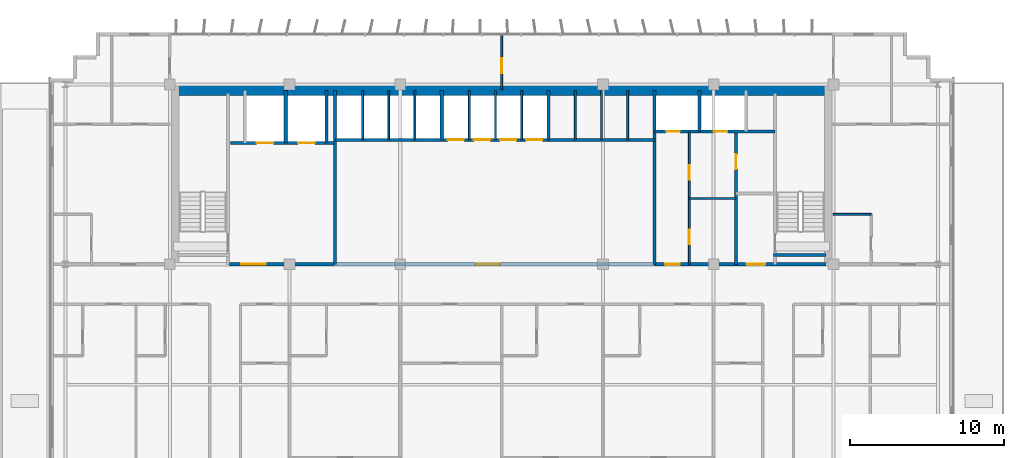
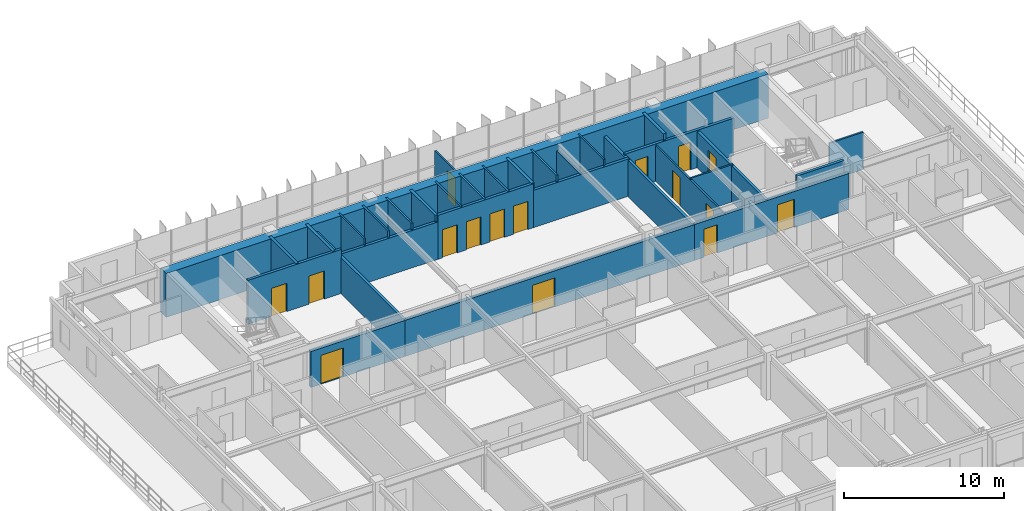
# One storey, part 18 of 22: 31 walls, 16 doors, 16 openings.
"""IFC4 building model written with IfcOpenShell, lengths in metres."""

from ifc_helpers import new_model, si_unit, direction, frame, frame_2d, origin, place, context, subcontext, project, spatial, rectangle, extrude, source, transform, mapped, material, layer, layer_set, type_object, element, fill, save


model = new_model("IFC4")

# Units and contexts
model_context = context("Model", 3, precision=1e-05, world=origin(), true_north=direction((0.0, 1.0)))
body_context = subcontext(model_context, "Body", "Model", "MODEL_VIEW")
ifc_project = project(units=[si_unit("LENGTHUNIT", "METRE"), si_unit("AREAUNIT", "SQUARE_METRE"), si_unit("VOLUMEUNIT", "CUBIC_METRE"), si_unit("PLANEANGLEUNIT", "RADIAN"), si_unit("MASSUNIT", "GRAM", prefix="KILO")], contexts=[model_context])

# Site, building, storey
site_placement = place(None, origin())
site = spatial("IfcSite", under=ifc_project, at=site_placement, CompositionType="ELEMENT")
building_placement = place(site_placement, origin())
building = spatial("IfcBuilding", under=site, at=building_placement, Name="Trelvane Seafront Commons", CompositionType="ELEMENT")
storey_placement = place(building_placement, frame((0.0, 0.0, 132.10009765625)))
storey = spatial("IfcBuildingStorey", under=building, at=storey_placement, Name="L34", CompositionType="ELEMENT", Elevation=132.10009765625)

# Wall, opening, door
ifc_material_1 = material(Name="Concrete C40/50", Category="concrete")
ifc_layer_1 = layer(ifc_material_1, 0.199951171875, Name="ARCH-WALL-FIRE200")
ifc_layer_set_1 = layer_set([ifc_layer_1], Name="Concrete C40/50")
wall_type_1 = type_object("IfcWallType", Name="ARCH-WALL-FIRE200", PredefinedType="PARTITIONING", material=ifc_layer_set_1)
wall_1_placement = place(storey_placement, frame((52.449951171875, 33.39990234375, 0.0), z_axis=(0.0, 0.0, 1.0), x_axis=(0.0, 1.0, 0.0)))
wall_1 = element("IfcWall", 1, at=wall_1_placement, inside=storey, type_object=wall_type_1, Name="W-L34-ST2V-W-033", PredefinedType="PARTITIONING", context=body_context, shape_type="SweptSolid", body=[
    extrude(rectangle(XDim=8.650146484375, YDim=0.199951171875, at=frame_2d((4.3251953125, 0.0))), origin(), (0.0, 0.0, 1.0), 2.75),
])
opening_1_placement = place(wall_1_placement, frame((6.199951171875, 0.0, 0.0)))
opening_1 = element("IfcOpeningElement", 2, at=opening_1_placement, cuts=wall_1, Name="Opening FD-L34-13", PredefinedType="OPENING", context=body_context, shape_type="SweptSolid", body=[
    extrude(rectangle(XDim=0.949951171875, YDim=2.14990234375, at=frame_2d((0.47509765625, 1.074951171875))), frame((0.0, 0.10986328125, 0.0), z_axis=(0.0, -1.0, 0.0), x_axis=(1.0, 0.0, 0.0)), (0.0, 0.0, 1.0), 0.219970703125),
])
ifc_material_2 = material(Name="Powder-coated aluminium frame", Category="aluminium")
door_type_1 = type_object("IfcDoorType", Name="ARCH-DR-FD60-950", OperationType="NOTDEFINED", PredefinedType="DOOR", material=ifc_material_2)
shared_shape_1 = source(origin(), body_context, "Body", "SweptSolid", [
    extrude(rectangle(XDim=0.949951171875, YDim=2.14990234375, at=frame_2d((0.47509765625, 1.074951171875))), frame((0.0, 0.02490234375, 0.0), z_axis=(0.0, -1.0, 0.0), x_axis=(1.0, 0.0, 0.0)), (0.0, 0.0, 1.0), 0.050048828125),
])
door_1_placement = place(opening_1_placement, origin())
door_1 = element("IfcDoor", 3, at=door_1_placement, inside=storey, type_object=door_type_1, Name="L34 Cleaner Store Door", OperationType="SINGLE_SWING_LEFT", OverallHeight=2.14990234375, OverallWidth=0.949951171875, PredefinedType="DOOR", context=body_context, shape_type="MappedRepresentation", body=[
    mapped(shared_shape_1, transform((0.0, 0.0, 0.0), x_axis=(1.0, 0.0, 0.0), y_axis=(0.0, 1.0, 0.0), z_axis=(0.0, 0.0, 1.0), scale=1.0)),
])
fill(opening_1, door_1)

ifc_layer_2 = layer(ifc_material_1, 0.25, Name="ARCH-WALL-FIRE250")
ifc_layer_set_2 = layer_set([ifc_layer_2], Name="Concrete C40/50")
wall_type_2 = type_object("IfcWallType", Name="ARCH-WALL-FIRE250", PredefinedType="PARTITIONING", material=ifc_layer_set_2)
wall_2_placement = place(storey_placement, frame((19.5, 33.39990234375, 0.0), z_axis=(0.0, 0.0, 1.0), x_axis=(1.0, 0.0, 0.0)))
wall_2 = element("IfcWall", 4, at=wall_2_placement, inside=storey, type_object=wall_type_2, Name="W-L34-CS-FFL-013", PredefinedType="PARTITIONING", context=body_context, shape_type="SweptSolid", body=[
    extrude(rectangle(XDim=6.800048828125, YDim=0.25, at=frame_2d((3.39990234375, 0.0))), origin(), (0.0, 0.0, 1.0), 2.75),
])
opening_2_placement = place(wall_2_placement, frame((0.75, 0.0, 0.0)))
opening_2 = element("IfcOpeningElement", 5, at=opening_2_placement, cuts=wall_2, Name="Opening FD-L34-05", PredefinedType="OPENING", context=body_context, shape_type="SweptSolid", body=[
    extrude(rectangle(XDim=1.60009765625, YDim=2.199951171875, at=frame_2d((0.800048828125, 1.10009765625))), frame((0.0, 0.135009765625, 0.0), z_axis=(0.0, -1.0, 0.0), x_axis=(1.0, 0.0, 0.0)), (0.0, 0.0, 1.0), 0.27001953125),
])
door_type_2 = type_object("IfcDoorType", Name="ARCH-DR-FD60-1600", OperationType="DOUBLE_DOOR_SINGLE_SWING", PredefinedType="DOOR", material=ifc_material_2)
shared_shape_2 = source(origin(), body_context, "Body", "SweptSolid", [
    extrude(rectangle(XDim=1.60009765625, YDim=2.199951171875, at=frame_2d((0.800048828125, 1.10009765625))), frame((0.0, 0.02490234375, 0.0), z_axis=(0.0, -1.0, 0.0), x_axis=(1.0, 0.0, 0.0)), (0.0, 0.0, 1.0), 0.050048828125),
])
door_2_placement = place(opening_2_placement, origin())
door_2 = element("IfcDoor", 6, at=door_2_placement, inside=storey, type_object=door_type_2, Name="L34 Firefighting Lift Lobby Double Fire Door", OperationType="DOUBLE_DOOR_SINGLE_SWING", OverallHeight=2.199951171875, OverallWidth=1.60009765625, PredefinedType="DOOR", context=body_context, shape_type="MappedRepresentation", body=[
    mapped(shared_shape_2, transform((0.0, 0.0, 0.0), x_axis=(1.0, 0.0, 0.0), y_axis=(0.0, 1.0, 0.0), z_axis=(0.0, 0.0, 1.0), scale=1.0)),
])
fill(opening_2, door_2)

wall_3_placement = place(storey_placement, frame((26.300048828125, 33.39990234375, 0.0), z_axis=(0.0, 0.0, 1.0), x_axis=(1.0, 0.0, 0.0)))
wall_3 = element("IfcWall", 7, at=wall_3_placement, inside=storey, type_object=wall_type_2, Name="W-L34-CS-PAX-029", PredefinedType="PARTITIONING", context=body_context, shape_type="SweptSolid", body=[
    extrude(rectangle(XDim=20.849853515625, YDim=0.25, at=frame_2d((10.4248046875, 0.0))), origin(), (0.0, 0.0, 1.0), 2.75),
])
opening_3_placement = place(wall_3_placement, frame((9.199951171875, 0.0, 0.0)))
opening_3 = element("IfcOpeningElement", 8, at=opening_3_placement, cuts=wall_3, Name="Opening FD-L34-10", PredefinedType="OPENING", context=body_context, shape_type="SweptSolid", body=[
    extrude(rectangle(XDim=1.60009765625, YDim=2.199951171875, at=frame_2d((0.800048828125, 1.10009765625))), frame((0.0, 0.135009765625, 0.0), z_axis=(0.0, -1.0, 0.0), x_axis=(1.0, 0.0, 0.0)), (0.0, 0.0, 1.0), 0.27001953125),
])
door_3_placement = place(opening_3_placement, origin())
door_3 = element("IfcDoor", 9, at=door_3_placement, inside=storey, type_object=door_type_2, Name="L34 Passenger Lift Lobby Double Door", OperationType="DOUBLE_DOOR_SINGLE_SWING", OverallHeight=2.199951171875, OverallWidth=1.60009765625, PredefinedType="DOOR", context=body_context, shape_type="MappedRepresentation", body=[
    mapped(shared_shape_2, transform((0.0, 0.0, 0.0), x_axis=(1.0, 0.0, 0.0), y_axis=(0.0, 1.0, 0.0), z_axis=(0.0, 0.0, 1.0), scale=1.0)),
])
fill(opening_3, door_3)

# Wall, openings, doors
wall_4_placement = place(storey_placement, frame((47.14990234375, 33.39990234375, 0.0), z_axis=(0.0, 0.0, 1.0), x_axis=(1.0, 0.0, 0.0)))
wall_4 = element("IfcWall", 10, at=wall_4_placement, inside=storey, type_object=wall_type_2, Name="W-L34-CS-EAST-037", PredefinedType="PARTITIONING", context=body_context, shape_type="SweptSolid", body=[
    extrude(rectangle(XDim=11.150146484375, YDim=0.25, at=frame_2d((5.5751953125, 0.0))), origin(), (0.0, 0.0, 1.0), 2.75),
])
opening_4_placement = place(wall_4_placement, frame((0.699951171875, 0.0, 0.0)))
opening_4 = element("IfcOpeningElement", 11, at=opening_4_placement, cuts=wall_4, Name="Opening FD-L34-16", PredefinedType="OPENING", context=body_context, shape_type="SweptSolid", body=[
    extrude(rectangle(XDim=0.949951171875, YDim=2.14990234375, at=frame_2d((0.47509765625, 1.074951171875))), frame((0.0, 0.135009765625, 0.0), z_axis=(0.0, -1.0, 0.0), x_axis=(1.0, 0.0, 0.0)), (0.0, 0.0, 1.0), 0.27001953125),
])
opening_5_placement = place(wall_4_placement, frame((6.0, 0.0, 0.0)))
opening_5 = element("IfcOpeningElement", 12, at=opening_5_placement, cuts=wall_4, Name="Opening FD-L34-17", PredefinedType="OPENING", context=body_context, shape_type="SweptSolid", body=[
    extrude(rectangle(XDim=1.199951171875, YDim=2.14990234375, at=frame_2d((0.60009765625, 1.074951171875))), frame((0.0, 0.135009765625, 0.0), z_axis=(0.0, -1.0, 0.0), x_axis=(1.0, 0.0, 0.0)), (0.0, 0.0, 1.0), 0.27001953125),
])
door_4_placement = place(opening_4_placement, origin())
door_4 = element("IfcDoor", 13, at=door_4_placement, inside=storey, type_object=door_type_1, Name="L34 Core Service Lobby Door", OperationType="SINGLE_SWING_RIGHT", OverallHeight=2.14990234375, OverallWidth=0.949951171875, PredefinedType="DOOR", context=body_context, shape_type="MappedRepresentation", body=[
    mapped(shared_shape_1, transform((0.0, 0.0, 0.0), x_axis=(1.0, 0.0, 0.0), y_axis=(0.0, 1.0, 0.0), z_axis=(0.0, 0.0, 1.0), scale=1.0)),
])
fill(opening_4, door_4)
door_type_3 = type_object("IfcDoorType", Name="ARCH-DR-FD60-1200", OperationType="NOTDEFINED", PredefinedType="DOOR", material=ifc_material_2)
shared_shape_3 = source(origin(), body_context, "Body", "SweptSolid", [
    extrude(rectangle(XDim=1.199951171875, YDim=2.14990234375, at=frame_2d((0.60009765625, 1.074951171875))), frame((0.0, 0.02490234375, 0.0), z_axis=(0.0, -1.0, 0.0), x_axis=(1.0, 0.0, 0.0)), (0.0, 0.0, 1.0), 0.050048828125),
])
door_5_placement = place(opening_5_placement, origin())
door_5 = element("IfcDoor", 14, at=door_5_placement, inside=storey, type_object=door_type_3, Name="L34 East Stair Vestibule Fire Door", OperationType="SINGLE_SWING_LEFT", OverallHeight=2.14990234375, OverallWidth=1.199951171875, PredefinedType="DOOR", context=body_context, shape_type="MappedRepresentation", body=[
    mapped(shared_shape_3, transform((0.0, 0.0, 0.0), x_axis=(1.0, 0.0, 0.0), y_axis=(0.0, 1.0, 0.0), z_axis=(0.0, 0.0, 1.0), scale=1.0)),
])
fill(opening_5, door_5)

# Walls
ifc_material_3 = material(Name="Gypsum Drywall Acoustic Partition")
ifc_layer_3 = layer(ifc_material_3, 0.1201171875, Name="ARCH-WALL-PART120")
ifc_layer_set_3 = layer_set([ifc_layer_3], Name="Gypsum Drywall Acoustic Partition")
wall_type_3 = type_object("IfcWallType", Name="ARCH-WALL-PART120", PredefinedType="PARTITIONING", material=ifc_layer_set_3)
for number, where, z_axis, x_axis, name in (
    (15, (28.14990234375, 41.5, 0.0), (0.0, 0.0, 1.0), (0.0, 1.0, 0.0), "W-L34-PL-DIV1-016"),
    (16, (29.85009765625, 41.5, 0.0), (0.0, 0.0, 1.0), (0.0, 1.0, 0.0), "W-L34-PL-DIV2-017"),
    (17, (31.550048828125, 41.5, 0.0), (0.0, 0.0, 1.0), (0.0, 1.0, 0.0), "W-L34-PL-DIV3-018"),
    (18, (35.10009765625, 41.5, 0.0), (0.0, 0.0, 1.0), (0.0, 1.0, 0.0), "W-L34-PM-DIV1-020"),
    (19, (36.800048828125, 41.5, 0.0), (0.0, 0.0, 1.0), (0.0, 1.0, 0.0), "W-L34-PM-DIV2-021"),
    (20, (38.5, 41.5, 0.0), (0.0, 0.0, 1.0), (0.0, 1.0, 0.0), "W-L34-PM-DIV3-022"),
    (21, (42.0, 41.5, 0.0), (0.0, 0.0, 1.0), (0.0, 1.0, 0.0), "W-L34-PH-DIV1-025"),
):
    element("IfcWall", number, at=place(storey_placement, frame(where, z_axis=z_axis, x_axis=x_axis)), inside=storey, type_object=wall_type_3, Name=name, PredefinedType="PARTITIONING", context=body_context, shape_type="SweptSolid", body=[
        extrude(rectangle(XDim=3.199951171875, YDim=0.1201171875, at=frame_2d((1.60009765625, 0.0))), origin(), (0.0, 0.0, 1.0), 3.349853515625),
    ])
wall_5_placement = place(storey_placement, frame((43.699951171875, 41.5, 0.0), z_axis=(0.0, 0.0, 1.0), x_axis=(0.0, 1.0, 0.0)))
element("IfcWall", 22, at=wall_5_placement, inside=storey, type_object=wall_type_3, Name="W-L34-PH-DIV2-026", PredefinedType="PARTITIONING", context=body_context, shape_type="SweptSolid", body=[
    extrude(rectangle(XDim=3.199951171875, YDim=0.1201171875, at=frame_2d((1.60009765625, 0.0))), origin(), (0.0, 0.0, 1.0), 2.849853515625),
])
wall_6_placement = place(storey_placement, frame((45.39990234375, 41.5, 0.0), z_axis=(0.0, 0.0, 1.0), x_axis=(0.0, 1.0, 0.0)))
element("IfcWall", 23, at=wall_6_placement, inside=storey, type_object=wall_type_3, Name="W-L34-PH-DIV3-027", PredefinedType="PARTITIONING", context=body_context, shape_type="SweptSolid", body=[
    extrude(rectangle(XDim=3.199951171875, YDim=0.1201171875, at=frame_2d((1.60009765625, 0.0))), origin(), (0.0, 0.0, 1.0), 3.349853515625),
])

# Wall, openings, doors
wall_7_placement = place(storey_placement, frame((49.419921875, 33.39990234375, 0.0), z_axis=(0.0, 0.0, 1.0), x_axis=(0.0, 1.0, 0.0)))
wall_7 = element("IfcWall", 24, at=wall_7_placement, inside=storey, type_object=wall_type_3, Name="W-L34-CYC0-V-035", PredefinedType="PARTITIONING", context=body_context, shape_type="SweptSolid", body=[
    extrude(rectangle(XDim=8.60009765625, YDim=0.1201171875, at=frame_2d((4.300048828125, 0.0))), origin(), (0.0, 0.0, 1.0), 2.75),
])
opening_6_placement = place(wall_7_placement, frame((1.300048828125, 0.0, 0.0)))
opening_6 = element("IfcOpeningElement", 25, at=opening_6_placement, cuts=wall_7, Name="Opening D-L34-14", PredefinedType="OPENING", context=body_context, shape_type="SweptSolid", body=[
    extrude(rectangle(XDim=0.949951171875, YDim=2.14990234375, at=frame_2d((0.47509765625, 1.074951171875))), frame((0.0, 0.070068359375, 0.0), z_axis=(0.0, -1.0, 0.0), x_axis=(1.0, 0.0, 0.0)), (0.0, 0.0, 1.0), 0.14013671875),
])
opening_7_placement = place(wall_7_placement, frame((5.5, 0.0, 0.0)))
opening_7 = element("IfcOpeningElement", 26, at=opening_7_placement, cuts=wall_7, Name="Opening D-L34-15", PredefinedType="OPENING", context=body_context, shape_type="SweptSolid", body=[
    extrude(rectangle(XDim=0.949951171875, YDim=2.14990234375, at=frame_2d((0.47509765625, 1.074951171875))), frame((0.0, 0.070068359375, 0.0), z_axis=(0.0, -1.0, 0.0), x_axis=(1.0, 0.0, 0.0)), (0.0, 0.0, 1.0), 0.14013671875),
])
ifc_material_4 = material(Name="Acoustic timber door leaf", Category="wood")
door_type_4 = type_object("IfcDoorType", Name="ARCH-DR-INT950", OperationType="NOTDEFINED", PredefinedType="DOOR", material=ifc_material_4)
door_6_placement = place(opening_6_placement, origin())
door_6 = element("IfcDoor", 27, at=door_6_placement, inside=storey, type_object=door_type_4, Name="L34 Accessible WC Door", OperationType="SINGLE_SWING_RIGHT", OverallHeight=2.14990234375, OverallWidth=0.949951171875, PredefinedType="DOOR", context=body_context, shape_type="MappedRepresentation", body=[
    mapped(shared_shape_1, transform((0.0, 0.0, 0.0), x_axis=(1.0, 0.0, 0.0), y_axis=(0.0, 1.0, 0.0), z_axis=(0.0, 0.0, 1.0), scale=1.0)),
])
fill(opening_6, door_6)
door_7_placement = place(opening_7_placement, origin())
door_7 = element("IfcDoor", 28, at=door_7_placement, inside=storey, type_object=door_type_4, Name="L34 Common WC Door", OperationType="SINGLE_SWING_LEFT", OverallHeight=2.14990234375, OverallWidth=0.949951171875, PredefinedType="DOOR", context=body_context, shape_type="MappedRepresentation", body=[
    mapped(shared_shape_1, transform((0.0, 0.0, 0.0), x_axis=(1.0, 0.0, 0.0), y_axis=(0.0, 1.0, 0.0), z_axis=(0.0, 0.0, 1.0), scale=1.0)),
])
fill(opening_7, door_7)

# Walls
wall_8_placement = place(storey_placement, frame((49.419921875, 37.679931640625, 0.0), z_axis=(0.0, 0.0, 1.0), x_axis=(1.0, 0.0, 0.0)))
element("IfcWall", 29, at=wall_8_placement, inside=storey, type_object=wall_type_3, Name="W-L34-CYC0-H-036", PredefinedType="PARTITIONING", context=body_context, shape_type="SweptSolid", body=[
    extrude(rectangle(XDim=3.030029296875, YDim=0.1201171875, at=frame_2d((1.51513671875, 0.0))), origin(), (0.0, 0.0, 1.0), 2.849853515625),
])
wall_9_placement = place(storey_placement, frame((58.800048828125, 36.64990234375, 0.0), z_axis=(0.0, 0.0, 1.0), x_axis=(1.0, 0.0, 0.0)))
element("IfcWall", 30, at=wall_9_placement, inside=storey, type_object=wall_type_3, Name="W-L34-NE-BN-045", PredefinedType="PARTITIONING", context=body_context, shape_type="SweptSolid", body=[
    extrude(rectangle(XDim=2.449951171875, YDim=0.1201171875, at=frame_2d((1.22509765625, 0.0))), origin(), (0.0, 0.0, 1.0), 2.849853515625),
])

# Wall, opening, door
wall_10_placement = place(storey_placement, frame((37.199951171875, 44.75, 0.0), z_axis=(0.0, 0.0, 1.0), x_axis=(0.0, 1.0, 0.0)))
wall_10 = element("IfcWall", 31, at=wall_10_placement, inside=storey, type_object=wall_type_3, Name="W-L34-N-MID-DV-050", PredefinedType="PARTITIONING", context=body_context, shape_type="SweptSolid", body=[
    extrude(rectangle(XDim=3.610107421875, YDim=0.1201171875, at=frame_2d((1.80517578125, 0.0))), origin(), (0.0, 0.0, 1.0), 2.75),
])
opening_8_placement = place(wall_10_placement, frame((1.10009765625, 0.0, 0.0)))
opening_8 = element("IfcOpeningElement", 32, at=opening_8_placement, cuts=wall_10, Name="Opening D-L34-26", PredefinedType="OPENING", context=body_context, shape_type="SweptSolid", body=[
    extrude(rectangle(XDim=0.949951171875, YDim=2.14990234375, at=frame_2d((0.47509765625, 1.074951171875))), frame((0.0, 0.070068359375, 0.0), z_axis=(0.0, -1.0, 0.0), x_axis=(1.0, 0.0, 0.0)), (0.0, 0.0, 1.0), 0.14013671875),
])
door_8_placement = place(opening_8_placement, origin())
door_8 = element("IfcDoor", 33, at=door_8_placement, inside=storey, type_object=door_type_4, Name="L34 Door 26", OperationType="SINGLE_SWING_RIGHT", OverallHeight=2.14990234375, OverallWidth=0.949951171875, PredefinedType="DOOR", context=body_context, shape_type="MappedRepresentation", body=[
    mapped(shared_shape_1, transform((0.0, 0.0, 0.0), x_axis=(1.0, 0.0, 0.0), y_axis=(0.0, 1.0, 0.0), z_axis=(0.0, 0.0, 1.0), scale=1.0)),
])
fill(opening_8, door_8)

# Wall, openings, doors
ifc_layer_4 = layer(ifc_material_1, 0.199951171875, Name="ARCH-WALL-SHAFT200")
ifc_layer_set_4 = layer_set([ifc_layer_4], Name="Concrete C40/50")
wall_type_4 = type_object("IfcWallType", Name="ARCH-WALL-SHAFT200", PredefinedType="SOLIDWALL", material=ifc_layer_set_4)
wall_11_placement = place(storey_placement, frame((19.550048828125, 41.300048828125, 0.0), z_axis=(0.0, 0.0, 1.0), x_axis=(1.0, 0.0, 0.0)))
wall_11 = element("IfcWall", 34, at=wall_11_placement, inside=storey, type_object=wall_type_4, Name="W-L34-FFL-FRONT-008", PredefinedType="SOLIDWALL", context=body_context, shape_type="SweptSolid", body=[
    extrude(rectangle(XDim=6.75, YDim=0.199951171875, at=frame_2d((3.375, 0.0))), origin(), (0.0, 0.0, 1.0), 3.349853515625),
])
opening_9_placement = place(wall_11_placement, frame((1.699951171875, 0.0, 0.0)))
opening_9 = element("IfcOpeningElement", 35, at=opening_9_placement, cuts=wall_11, Name="Opening LD-FF1-L34", PredefinedType="OPENING", context=body_context, shape_type="SweptSolid", body=[
    extrude(rectangle(XDim=1.10009765625, YDim=2.14990234375, at=frame_2d((0.550048828125, 1.074951171875))), frame((0.0, 0.10986328125, 0.0), z_axis=(0.0, -1.0, 0.0), x_axis=(1.0, 0.0, 0.0)), (0.0, 0.0, 1.0), 0.219970703125),
])
opening_10_placement = place(wall_11_placement, frame((4.39990234375, 0.0, 0.0)))
opening_10 = element("IfcOpeningElement", 36, at=opening_10_placement, cuts=wall_11, Name="Opening LD-FF2-L34", PredefinedType="OPENING", context=body_context, shape_type="SweptSolid", body=[
    extrude(rectangle(XDim=1.10009765625, YDim=2.14990234375, at=frame_2d((0.550048828125, 1.074951171875))), frame((0.0, 0.10986328125, 0.0), z_axis=(0.0, -1.0, 0.0), x_axis=(1.0, 0.0, 0.0)), (0.0, 0.0, 1.0), 0.219970703125),
])
ifc_material_5 = material(Name="Stainless steel balustrade", Category="steel")
door_type_5 = type_object("IfcDoorType", Name="ARCH-DR-LD1100", OperationType="DOUBLE_DOOR_SLIDING", PredefinedType="DOOR", material=ifc_material_5)
shared_shape_4 = source(origin(), body_context, "Body", "SweptSolid", [
    extrude(rectangle(XDim=1.10009765625, YDim=2.14990234375, at=frame_2d((0.550048828125, 1.074951171875))), frame((0.0, 0.02490234375, 0.0), z_axis=(0.0, -1.0, 0.0), x_axis=(1.0, 0.0, 0.0)), (0.0, 0.0, 1.0), 0.050048828125),
])
door_9_placement = place(opening_9_placement, origin())
door_9 = element("IfcDoor", 37, at=door_9_placement, inside=storey, type_object=door_type_5, Name="L34 Firefighting Lift FFL-1 Landing Door", OperationType="DOUBLE_DOOR_SLIDING", OverallHeight=2.14990234375, OverallWidth=1.10009765625, PredefinedType="DOOR", context=body_context, shape_type="MappedRepresentation", body=[
    mapped(shared_shape_4, transform((0.0, 0.0, 0.0), x_axis=(1.0, 0.0, 0.0), y_axis=(0.0, 1.0, 0.0), z_axis=(0.0, 0.0, 1.0), scale=1.0)),
])
fill(opening_9, door_9)
door_10_placement = place(opening_10_placement, origin())
door_10 = element("IfcDoor", 38, at=door_10_placement, inside=storey, type_object=door_type_5, Name="L34 Firefighting Lift FFL-2 Landing Door", OperationType="DOUBLE_DOOR_SLIDING", OverallHeight=2.14990234375, OverallWidth=1.10009765625, PredefinedType="DOOR", context=body_context, shape_type="MappedRepresentation", body=[
    mapped(shared_shape_4, transform((0.0, 0.0, 0.0), x_axis=(1.0, 0.0, 0.0), y_axis=(0.0, 1.0, 0.0), z_axis=(0.0, 0.0, 1.0), scale=1.0)),
])
fill(opening_10, door_10)

# Walls
for number, where, z_axis, x_axis, name in (
    (39, (23.14990234375, 41.300048828125, 0.0), (0.0, 0.0, 1.0), (0.0, 1.0, 0.0), "W-L34-FFL-DIV-010"),
    (40, (25.800048828125, 41.300048828125, 0.0), (0.0, 0.0, 1.0), (0.0, 1.0, 0.0), "W-L34-FFL-SH-E-011"),
):
    element("IfcWall", number, at=place(storey_placement, frame(where, z_axis=z_axis, x_axis=x_axis)), inside=storey, type_object=wall_type_4, Name=name, PredefinedType="SOLIDWALL", context=body_context, shape_type="SweptSolid", body=[
        extrude(rectangle(XDim=3.39990234375, YDim=0.199951171875, at=frame_2d((1.699951171875, 0.0))), origin(), (0.0, 0.0, 1.0), 3.349853515625),
    ])
wall_12_placement = place(storey_placement, frame((26.35009765625, 33.39990234375, 0.0), z_axis=(0.0, 0.0, 1.0), x_axis=(0.0, 1.0, 0.0)))
element("IfcWall", 41, at=wall_12_placement, inside=storey, type_object=wall_type_4, Name="W-L34-FFL-EAST-012", PredefinedType="SOLIDWALL", context=body_context, shape_type="SweptSolid", body=[
    extrude(rectangle(XDim=11.300048828125, YDim=0.199951171875, at=frame_2d((5.64990234375, 0.0))), origin(), (0.0, 0.0, 1.0), 2.75),
])
wall_13_placement = place(storey_placement, frame((26.39990234375, 41.5, 0.0), z_axis=(0.0, 0.0, 1.0), x_axis=(1.0, 0.0, 0.0)))
element("IfcWall", 42, at=wall_13_placement, inside=storey, type_object=wall_type_4, Name="W-L34-PL-FRONT-014", PredefinedType="SOLIDWALL", context=body_context, shape_type="SweptSolid", body=[
    extrude(rectangle(XDim=6.9501953125, YDim=0.199951171875, at=frame_2d((3.47509765625, 0.0))), origin(), (0.0, 0.0, 1.0), 2.849853515625),
])
wall_14_placement = place(storey_placement, frame((33.300048828125, 41.5, 0.0), z_axis=(0.0, 0.0, 1.0), x_axis=(0.0, 1.0, 0.0)))
element("IfcWall", 43, at=wall_14_placement, inside=storey, type_object=wall_type_4, Name="W-L34-PL-EAST-SH-015", PredefinedType="SOLIDWALL", context=body_context, shape_type="SweptSolid", body=[
    extrude(rectangle(XDim=3.199951171875, YDim=0.199951171875, at=frame_2d((1.60009765625, 0.0))), origin(), (0.0, 0.0, 1.0), 3.349853515625),
])

# Wall, openings, doors
wall_15_placement = place(storey_placement, frame((33.35009765625, 41.5, 0.0), z_axis=(0.0, 0.0, 1.0), x_axis=(1.0, 0.0, 0.0)))
wall_15 = element("IfcWall", 44, at=wall_15_placement, inside=storey, type_object=wall_type_4, Name="W-L34-PM-FRONT-019", PredefinedType="SOLIDWALL", context=body_context, shape_type="SweptSolid", body=[
    extrude(rectangle(XDim=6.89990234375, YDim=0.199951171875, at=frame_2d((3.449951171875, 0.0))), origin(), (0.0, 0.0, 1.0), 3.349853515625),
])
opening_11_placement = place(wall_15_placement, frame((0.35009765625, 0.0, 0.0)))
opening_11 = element("IfcOpeningElement", 45, at=opening_11_placement, cuts=wall_15, Name="Opening LD-PM1-L34", PredefinedType="OPENING", context=body_context, shape_type="SweptSolid", body=[
    extrude(rectangle(XDim=1.050048828125, YDim=2.14990234375, at=frame_2d((0.52490234375, 1.074951171875))), frame((0.0, 0.10986328125, 0.0), z_axis=(0.0, -1.0, 0.0), x_axis=(1.0, 0.0, 0.0)), (0.0, 0.0, 1.0), 0.219970703125),
])
opening_12_placement = place(wall_15_placement, frame((2.050048828125, 0.0, 0.0)))
opening_12 = element("IfcOpeningElement", 46, at=opening_12_placement, cuts=wall_15, Name="Opening LD-PM2-L34", PredefinedType="OPENING", context=body_context, shape_type="SweptSolid", body=[
    extrude(rectangle(XDim=1.050048828125, YDim=2.14990234375, at=frame_2d((0.52490234375, 1.074951171875))), frame((0.0, 0.10986328125, 0.0), z_axis=(0.0, -1.0, 0.0), x_axis=(1.0, 0.0, 0.0)), (0.0, 0.0, 1.0), 0.219970703125),
])
opening_13_placement = place(wall_15_placement, frame((3.75, 0.0, 0.0)))
opening_13 = element("IfcOpeningElement", 47, at=opening_13_placement, cuts=wall_15, Name="Opening LD-PM3-L34", PredefinedType="OPENING", context=body_context, shape_type="SweptSolid", body=[
    extrude(rectangle(XDim=1.050048828125, YDim=2.14990234375, at=frame_2d((0.52490234375, 1.074951171875))), frame((0.0, 0.10986328125, 0.0), z_axis=(0.0, -1.0, 0.0), x_axis=(1.0, 0.0, 0.0)), (0.0, 0.0, 1.0), 0.219970703125),
])
opening_14_placement = place(wall_15_placement, frame((5.449951171875, 0.0, 0.0)))
opening_14 = element("IfcOpeningElement", 48, at=opening_14_placement, cuts=wall_15, Name="Opening LD-PM4-L34", PredefinedType="OPENING", context=body_context, shape_type="SweptSolid", body=[
    extrude(rectangle(XDim=1.050048828125, YDim=2.14990234375, at=frame_2d((0.52490234375, 1.074951171875))), frame((0.0, 0.10986328125, 0.0), z_axis=(0.0, -1.0, 0.0), x_axis=(1.0, 0.0, 0.0)), (0.0, 0.0, 1.0), 0.219970703125),
])
door_type_6 = type_object("IfcDoorType", Name="ARCH-DR-LD1050", OperationType="DOUBLE_DOOR_SLIDING", PredefinedType="DOOR", material=ifc_material_5)
shared_shape_5 = source(origin(), body_context, "Body", "SweptSolid", [
    extrude(rectangle(XDim=1.050048828125, YDim=2.14990234375, at=frame_2d((0.52490234375, 1.074951171875))), frame((0.0, 0.02490234375, 0.0), z_axis=(0.0, -1.0, 0.0), x_axis=(1.0, 0.0, 0.0)), (0.0, 0.0, 1.0), 0.050048828125),
])
door_11_placement = place(opening_11_placement, origin())
door_11 = element("IfcDoor", 49, at=door_11_placement, inside=storey, type_object=door_type_6, Name="L34 Passenger Lift PM-1 Landing Door", OperationType="DOUBLE_DOOR_SLIDING", OverallHeight=2.14990234375, OverallWidth=1.050048828125, PredefinedType="DOOR", context=body_context, shape_type="MappedRepresentation", body=[
    mapped(shared_shape_5, transform((0.0, 0.0, 0.0), x_axis=(1.0, 0.0, 0.0), y_axis=(0.0, 1.0, 0.0), z_axis=(0.0, 0.0, 1.0), scale=1.0)),
])
fill(opening_11, door_11)
door_12_placement = place(opening_12_placement, origin())
door_12 = element("IfcDoor", 50, at=door_12_placement, inside=storey, type_object=door_type_6, Name="L34 Passenger Lift PM-2 Landing Door", OperationType="DOUBLE_DOOR_SLIDING", OverallHeight=2.14990234375, OverallWidth=1.050048828125, PredefinedType="DOOR", context=body_context, shape_type="MappedRepresentation", body=[
    mapped(shared_shape_5, transform((0.0, 0.0, 0.0), x_axis=(1.0, 0.0, 0.0), y_axis=(0.0, 1.0, 0.0), z_axis=(0.0, 0.0, 1.0), scale=1.0)),
])
fill(opening_12, door_12)
door_13_placement = place(opening_13_placement, origin())
door_13 = element("IfcDoor", 51, at=door_13_placement, inside=storey, type_object=door_type_6, Name="L34 Passenger Lift PM-3 Landing Door", OperationType="DOUBLE_DOOR_SLIDING", OverallHeight=2.14990234375, OverallWidth=1.050048828125, PredefinedType="DOOR", context=body_context, shape_type="MappedRepresentation", body=[
    mapped(shared_shape_5, transform((0.0, 0.0, 0.0), x_axis=(1.0, 0.0, 0.0), y_axis=(0.0, 1.0, 0.0), z_axis=(0.0, 0.0, 1.0), scale=1.0)),
])
fill(opening_13, door_13)
door_14_placement = place(opening_14_placement, origin())
door_14 = element("IfcDoor", 52, at=door_14_placement, inside=storey, type_object=door_type_6, Name="L34 Passenger Lift PM-4 Landing Door", OperationType="DOUBLE_DOOR_SLIDING", OverallHeight=2.14990234375, OverallWidth=1.050048828125, PredefinedType="DOOR", context=body_context, shape_type="MappedRepresentation", body=[
    mapped(shared_shape_5, transform((0.0, 0.0, 0.0), x_axis=(1.0, 0.0, 0.0), y_axis=(0.0, 1.0, 0.0), z_axis=(0.0, 0.0, 1.0), scale=1.0)),
])
fill(opening_14, door_14)

# Walls
wall_16_placement = place(storey_placement, frame((40.25, 41.5, 0.0), z_axis=(0.0, 0.0, 1.0), x_axis=(1.0, 0.0, 0.0)))
element("IfcWall", 53, at=wall_16_placement, inside=storey, type_object=wall_type_4, Name="W-L34-PH-FRONT-023", PredefinedType="SOLIDWALL", context=body_context, shape_type="SweptSolid", body=[
    extrude(rectangle(XDim=6.89990234375, YDim=0.199951171875, at=frame_2d((3.449951171875, 0.0))), origin(), (0.0, 0.0, 1.0), 2.849853515625),
])
wall_17_placement = place(storey_placement, frame((40.25, 41.5, 0.0), z_axis=(0.0, 0.0, 1.0), x_axis=(0.0, 1.0, 0.0)))
element("IfcWall", 54, at=wall_17_placement, inside=storey, type_object=wall_type_4, Name="W-L34-PH-WEST-SH-024", PredefinedType="SOLIDWALL", context=body_context, shape_type="SweptSolid", body=[
    extrude(rectangle(XDim=3.199951171875, YDim=0.199951171875, at=frame_2d((1.60009765625, 0.0))), origin(), (0.0, 0.0, 1.0), 3.349853515625),
])
wall_18_placement = place(storey_placement, frame((47.14990234375, 33.39990234375, 0.0), z_axis=(0.0, 0.0, 1.0), x_axis=(0.0, 1.0, 0.0)))
element("IfcWall", 55, at=wall_18_placement, inside=storey, type_object=wall_type_4, Name="W-L34-PH-EAST-028", PredefinedType="SOLIDWALL", context=body_context, shape_type="SweptSolid", body=[
    extrude(rectangle(XDim=11.300048828125, YDim=0.199951171875, at=frame_2d((5.64990234375, 0.0))), origin(), (0.0, 0.0, 1.0), 2.75),
])

# Wall, openings, doors
wall_19_placement = place(storey_placement, frame((47.14990234375, 42.050048828125, 0.0), z_axis=(0.0, 0.0, 1.0), x_axis=(1.0, 0.0, 0.0)))
wall_19 = element("IfcWall", 56, at=wall_19_placement, inside=storey, type_object=wall_type_4, Name="W-L34-RSR-S-030", PredefinedType="SOLIDWALL", context=body_context, shape_type="SweptSolid", body=[
    extrude(rectangle(XDim=7.85009765625, YDim=0.199951171875, at=frame_2d((3.925048828125, 0.0))), origin(), (0.0, 0.0, 1.0), 2.849853515625),
])
opening_15_placement = place(wall_19_placement, frame((0.75, 0.0, 0.0)))
opening_15 = element("IfcOpeningElement", 57, at=opening_15_placement, cuts=wall_19, Name="Opening FD-L34-11", PredefinedType="OPENING", context=body_context, shape_type="SweptSolid", body=[
    extrude(rectangle(XDim=0.89990234375, YDim=2.10009765625, at=frame_2d((0.449951171875, 1.050048828125))), frame((0.0, 0.10986328125, 0.0), z_axis=(0.0, -1.0, 0.0), x_axis=(1.0, 0.0, 0.0)), (0.0, 0.0, 1.0), 0.219970703125),
])
opening_16_placement = place(wall_19_placement, frame((3.85009765625, 0.0, 0.0)))
opening_16 = element("IfcOpeningElement", 58, at=opening_16_placement, cuts=wall_19, Name="Opening FD-L34-12", PredefinedType="OPENING", context=body_context, shape_type="SweptSolid", body=[
    extrude(rectangle(XDim=0.89990234375, YDim=2.10009765625, at=frame_2d((0.449951171875, 1.050048828125))), frame((0.0, 0.10986328125, 0.0), z_axis=(0.0, -1.0, 0.0), x_axis=(1.0, 0.0, 0.0)), (0.0, 0.0, 1.0), 0.219970703125),
])
door_type_7 = type_object("IfcDoorType", Name="ARCH-DR-FD60-900", OperationType="NOTDEFINED", PredefinedType="DOOR", material=ifc_material_2)
shared_shape_6 = source(origin(), body_context, "Body", "SweptSolid", [
    extrude(rectangle(XDim=0.89990234375, YDim=2.10009765625, at=frame_2d((0.449951171875, 1.050048828125))), frame((0.0, 0.02490234375, 0.0), z_axis=(0.0, -1.0, 0.0), x_axis=(1.0, 0.0, 0.0)), (0.0, 0.0, 1.0), 0.050048828125),
])
door_15_placement = place(opening_15_placement, origin())
door_15 = element("IfcDoor", 59, at=door_15_placement, inside=storey, type_object=door_type_7, Name="L34 Electrical Riser Access Door", OperationType="SINGLE_SWING_LEFT", OverallHeight=2.10009765625, OverallWidth=0.89990234375, PredefinedType="DOOR", context=body_context, shape_type="MappedRepresentation", body=[
    mapped(shared_shape_6, transform((0.0, 0.0, 0.0), x_axis=(1.0, 0.0, 0.0), y_axis=(0.0, 1.0, 0.0), z_axis=(0.0, 0.0, 1.0), scale=1.0)),
])
fill(opening_15, door_15)
door_16_placement = place(opening_16_placement, origin())
door_16 = element("IfcDoor", 60, at=door_16_placement, inside=storey, type_object=door_type_7, Name="L34 Mechanical Riser Access Door", OperationType="SINGLE_SWING_RIGHT", OverallHeight=2.10009765625, OverallWidth=0.89990234375, PredefinedType="DOOR", context=body_context, shape_type="MappedRepresentation", body=[
    mapped(shared_shape_6, transform((0.0, 0.0, 0.0), x_axis=(1.0, 0.0, 0.0), y_axis=(0.0, 1.0, 0.0), z_axis=(0.0, 0.0, 1.0), scale=1.0)),
])
fill(opening_16, door_16)

# Walls
wall_20_placement = place(storey_placement, frame((50.080078125, 42.050048828125, 0.0), z_axis=(0.0, 0.0, 1.0), x_axis=(0.0, 1.0, 0.0)))
element("IfcWall", 61, at=wall_20_placement, inside=storey, type_object=wall_type_4, Name="W-L34-RSR-DIV-031", PredefinedType="SOLIDWALL", context=body_context, shape_type="SweptSolid", body=[
    extrude(rectangle(XDim=2.64990234375, YDim=0.199951171875, at=frame_2d((1.324951171875, 0.0))), origin(), (0.0, 0.0, 1.0), 3.349853515625),
])
ifc_material_6 = material(Name="Concrete C60/75", Category="concrete")
ifc_layer_5 = layer(ifc_material_6, 0.699951171875, Name="STR-WALL-CORE700")
ifc_layer_set_5 = layer_set([ifc_layer_5], Name="Concrete C60/75")
wall_type_5 = type_object("IfcWallType", Name="STR-WALL-CORE700", PredefinedType="SHEAR", material=ifc_layer_set_5)
wall_21_placement = place(storey_placement, frame((15.5, 44.75, 0.0), z_axis=(0.0, 0.0, 1.0), x_axis=(1.0, 0.0, 0.0)))
element("IfcWall", 62, at=wall_21_placement, inside=storey, type_object=wall_type_5, Name="W-L34-CN-ALL-001", PredefinedType="SHEAR", context=body_context, shape_type="SweptSolid", body=[
    extrude(rectangle(XDim=43.39990234375, YDim=0.699951171875, at=frame_2d((21.699951171875, 0.0))), origin(), (0.0, 0.0, 1.0), 3.349853515625),
])
ifc_material_7 = material(Name="Concrete C50/60", Category="concrete")
ifc_layer_6 = layer(ifc_material_7, 0.199951171875, Name="STR-WALL-STAIR200")
ifc_layer_set_6 = layer_set([ifc_layer_6], Name="Concrete C50/60")
wall_type_6 = type_object("IfcWallType", Name="STR-WALL-STAIR200", PredefinedType="SHEAR", material=ifc_layer_set_6)
wall_22_placement = place(storey_placement, frame((54.89990234375, 34.0, 0.0), z_axis=(0.0, 0.0, 1.0), x_axis=(1.0, 0.0, 0.0)))
element("IfcWall", 63, at=wall_22_placement, inside=storey, type_object=wall_type_6, Name="W-L34-ST2-S-006", PredefinedType="SHEAR", context=body_context, shape_type="SweptSolid", body=[
    extrude(rectangle(XDim=3.400146484375, YDim=0.199951171875, at=frame_2d((1.7001953125, 0.0))), origin(), (0.0, 0.0, 1.0), 3.349853515625),
])

save(model, "model.ifc")
